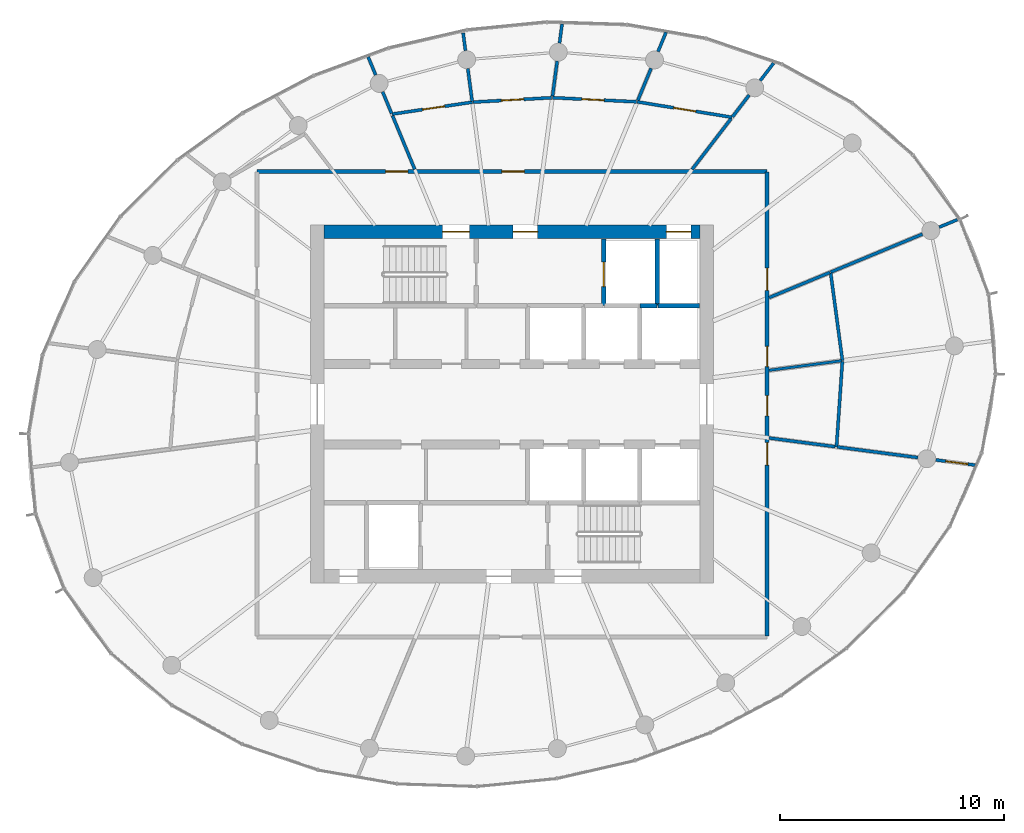
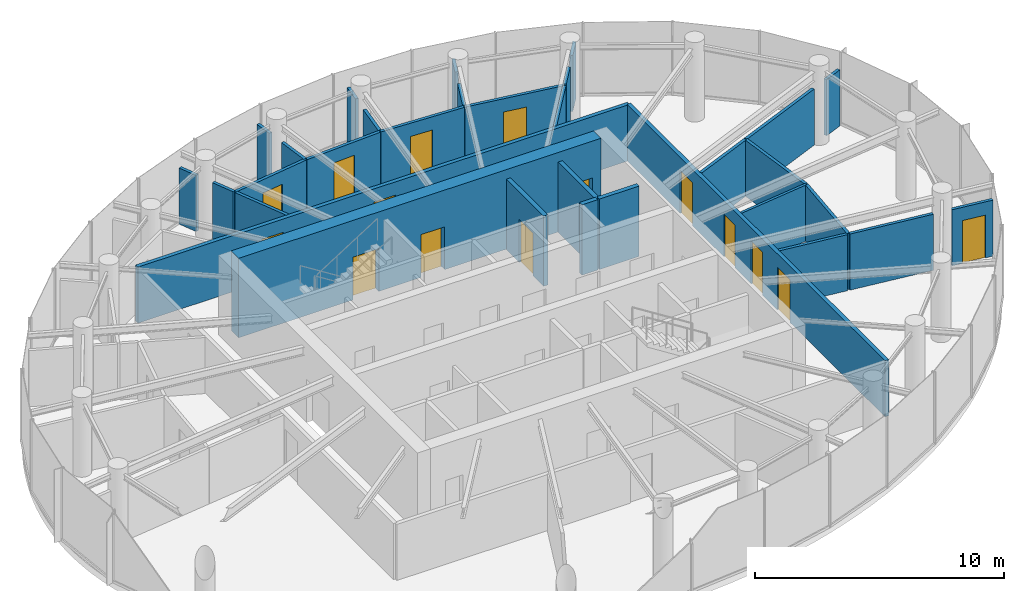
# One storey, part 10 of 13: 32 walls, 15 doors, 15 openings.
"""IFC4 building model written with IfcOpenShell, lengths in metres."""

from ifc_helpers import new_model, si_unit, direction, frame, frame_2d, origin, place, context, subcontext, project, spatial, rectangle, extrude, source, transform, mapped, material, layer, layer_set, type_object, element, fill, save


model = new_model("IFC4")

# Units and contexts
model_context = context("Model", 3, precision=1e-05, world=origin(), true_north=direction((0.0, 1.0)))
body_context = subcontext(model_context, "Body", "Model", "MODEL_VIEW")
ifc_project = project(units=[si_unit("LENGTHUNIT", "METRE"), si_unit("AREAUNIT", "SQUARE_METRE"), si_unit("VOLUMEUNIT", "CUBIC_METRE"), si_unit("PLANEANGLEUNIT", "RADIAN"), si_unit("MASSUNIT", "GRAM", prefix="KILO")], contexts=[model_context])

# Site, building, storey
site_placement = place(None, origin())
site = spatial("IfcSite", under=ifc_project, at=site_placement, CompositionType="ELEMENT")
building_placement = place(site_placement, origin())
building = spatial("IfcBuilding", under=site, at=building_placement, Name="Spindrift Exchange Tower", CompositionType="ELEMENT")
storey_placement = place(building_placement, frame((0.0, 0.0, 261.800048828125)))
storey = spatial("IfcBuildingStorey", under=building, at=storey_placement, Name="L64", CompositionType="ELEMENT", Elevation=261.800048828125)

# Wall, openings, doors
ifc_material_1 = material(Name="Concrete 50 MPa", Category="concrete")
ifc_layer_1 = layer(ifc_material_1, 0.60009765625)
ifc_layer_set_1 = layer_set([ifc_layer_1], Name="RC Core Wall 600 Concrete 50 MPa")
wall_type_1 = type_object("IfcWallType", Name="RC Core Wall 600 Concrete 50 MPa", PredefinedType="SHEAR", material=ifc_layer_set_1)
wall_1_placement = place(storey_placement, frame((60.39990234375, 55.699951171875, 0.0), z_axis=(0.0, 0.0, 1.0), x_axis=(-1.0, 0.0, 0.0)))
wall_1 = element("IfcWall", 1, at=wall_1_placement, inside=storey, type_object=wall_type_1, Name="Core wall N L64", PredefinedType="SHEAR", context=body_context, shape_type="SweptSolid", body=[
    extrude(rectangle(XDim=16.7998046875, YDim=0.60009765625, at=frame_2d((8.39990234375, 0.0))), origin(), (0.0, 0.0, 1.0), 3.89990234375),
])
opening_1_placement = place(wall_1_placement, frame((0.39990234375, 0.0, 0.0)))
opening_1 = element("IfcOpeningElement", 2, at=opening_1_placement, cuts=wall_1, Name="Opening L64-D11", PredefinedType="OPENING", context=body_context, shape_type="SweptSolid", body=[
    extrude(rectangle(XDim=1.10009765625, YDim=2.10009765625, at=frame_2d((0.550048828125, 1.050048828125))), frame((0.0, 0.31005859375, 0.0), z_axis=(0.0, -1.0, 0.0), x_axis=(1.0, 0.0, 0.0)), (0.0, 0.0, 1.0), 0.6201171875),
])
opening_2_placement = place(wall_1_placement, frame((10.300048828125, 0.0, 0.0)))
opening_2 = element("IfcOpeningElement", 3, at=opening_2_placement, cuts=wall_1, Name="Opening L64-D12", PredefinedType="OPENING", context=body_context, shape_type="SweptSolid", body=[
    extrude(rectangle(XDim=1.199951171875, YDim=2.10009765625, at=frame_2d((0.60009765625, 1.050048828125))), frame((0.0, 0.31005859375, 0.0), z_axis=(0.0, -1.0, 0.0), x_axis=(1.0, 0.0, 0.0)), (0.0, 0.0, 1.0), 0.6201171875),
])
opening_3_placement = place(wall_1_placement, frame((7.25, 0.0, 0.0)))
opening_3 = element("IfcOpeningElement", 4, at=opening_3_placement, cuts=wall_1, Name="Opening L64-D14", PredefinedType="OPENING", context=body_context, shape_type="SweptSolid", body=[
    extrude(rectangle(XDim=1.10009765625, YDim=2.10009765625, at=frame_2d((0.550048828125, 1.050048828125))), frame((0.0, 0.31005859375, 0.0), z_axis=(0.0, -1.0, 0.0), x_axis=(1.0, 0.0, 0.0)), (0.0, 0.0, 1.0), 0.6201171875),
])
ifc_material_2 = material(Name="Stainless steel landing door", Category="steel")
door_type_1 = type_object("IfcDoorType", Name="DR-LANDING-1100-SL", OperationType="DOUBLE_DOOR_SLIDING", PredefinedType="USERDEFINED", material=ifc_material_2)
shared_shape_1 = source(origin(), body_context, "Body", "SweptSolid", [
    extrude(rectangle(XDim=1.10009765625, YDim=2.10009765625, at=frame_2d((0.550048828125, 1.050048828125))), frame((0.0, 0.02490234375, 0.0), z_axis=(0.0, -1.0, 0.0), x_axis=(1.0, 0.0, 0.0)), (0.0, 0.0, 1.0), 0.050048828125),
])
door_1_placement = place(opening_1_placement, origin())
door_1 = element("IfcDoor", 5, at=door_1_placement, inside=storey, type_object=door_type_1, Name="L64 Lift landing door 11", ObjectType="LANDING DOOR", OperationType="DOUBLE_DOOR_SLIDING", OverallHeight=2.10009765625, OverallWidth=1.10009765625, PredefinedType="USERDEFINED", context=body_context, shape_type="MappedRepresentation", body=[
    mapped(shared_shape_1, transform((0.0, 0.0, 0.0), scale=1.0)),
])
fill(opening_1, door_1)
ifc_material_3 = material(Name="Steel fire door", Category="steel")
door_type_2 = type_object("IfcDoorType", Name="DR-STAIR-1200", OperationType="NOTDEFINED", PredefinedType="DOOR", material=ifc_material_3)
shared_shape_2 = source(origin(), body_context, "Body", "SweptSolid", [
    extrude(rectangle(XDim=1.199951171875, YDim=2.10009765625, at=frame_2d((0.60009765625, 1.050048828125))), frame((0.0, 0.02490234375, 0.0), z_axis=(0.0, -1.0, 0.0), x_axis=(1.0, 0.0, 0.0)), (0.0, 0.0, 1.0), 0.050048828125),
])
door_2_placement = place(opening_2_placement, origin())
door_2 = element("IfcDoor", 6, at=door_2_placement, inside=storey, type_object=door_type_2, Name="L64 Stair door 12", OperationType="SINGLE_SWING_LEFT", OverallHeight=2.10009765625, OverallWidth=1.199951171875, PredefinedType="DOOR", context=body_context, shape_type="MappedRepresentation", body=[
    mapped(shared_shape_2, transform((0.0, 0.0, 0.0), scale=1.0)),
])
fill(opening_2, door_2)
ifc_material_4 = material(Name="Timber-core fire door", Category="wood")
door_type_3 = type_object("IfcDoorType", Name="DR-LOBBY-1100", OperationType="NOTDEFINED", PredefinedType="DOOR", material=ifc_material_4)
shared_shape_3 = source(origin(), body_context, "Body", "SweptSolid", [
    extrude(rectangle(XDim=1.10009765625, YDim=2.10009765625, at=frame_2d((0.550048828125, 1.050048828125))), frame((0.0, 0.02490234375, 0.0), z_axis=(0.0, -1.0, 0.0), x_axis=(1.0, 0.0, 0.0)), (0.0, 0.0, 1.0), 0.050048828125),
])
door_3_placement = place(opening_3_placement, origin())
door_3 = element("IfcDoor", 7, at=door_3_placement, inside=storey, type_object=door_type_3, Name="L64 Lobby door 14", OperationType="SINGLE_SWING_LEFT", OverallHeight=2.10009765625, OverallWidth=1.10009765625, PredefinedType="DOOR", context=body_context, shape_type="MappedRepresentation", body=[
    mapped(shared_shape_3, transform((0.0, 0.0, 0.0), scale=1.0)),
])
fill(opening_3, door_3)

ifc_material_5 = material(Name="Fire-rated plasterboard partition", Category="gypsum")
ifc_layer_2 = layer(ifc_material_5, 0.179931640625)
ifc_layer_set_2 = layer_set([ifc_layer_2], Name="W-CORR-180")
wall_type_2 = type_object("IfcWallType", Name="W-CORR-180", PredefinedType="PARTITIONING", material=ifc_layer_set_2)
wall_2_placement = place(storey_placement, frame((40.60009765625, 58.39990234375, 0.0), z_axis=(0.0, 0.0, 1.0), x_axis=(1.0, 0.0, 0.0)))
wall_2 = element("IfcWall", 8, at=wall_2_placement, inside=storey, type_object=wall_type_2, Name="L64 Partition wall 27", PredefinedType="PARTITIONING", context=body_context, shape_type="SweptSolid", body=[
    extrude(rectangle(XDim=22.7998046875, YDim=0.179931640625, at=frame_2d((11.39990234375, 0.0))), origin(), (0.0, 0.0, 1.0), 2.75),
])
opening_4_placement = place(wall_2_placement, frame((10.949951171875, 0.0, 0.0)))
opening_4 = element("IfcOpeningElement", 9, at=opening_4_placement, cuts=wall_2, Name="Opening L64-D23", PredefinedType="OPENING", context=body_context, shape_type="SweptSolid", body=[
    extrude(rectangle(XDim=1.0, YDim=2.10009765625, at=frame_2d((0.5, 1.050048828125))), frame((0.0, 0.099853515625, 0.0), z_axis=(0.0, -1.0, 0.0), x_axis=(1.0, 0.0, 0.0)), (0.0, 0.0, 1.0), 0.199951171875),
])
opening_5_placement = place(wall_2_placement, frame((5.75, 0.0, 0.0)))
opening_5 = element("IfcOpeningElement", 10, at=opening_5_placement, cuts=wall_2, Name="Opening L64-D28", PredefinedType="OPENING", context=body_context, shape_type="SweptSolid", body=[
    extrude(rectangle(XDim=1.0, YDim=2.10009765625, at=frame_2d((0.5, 1.050048828125))), frame((0.0, 0.099853515625, 0.0), z_axis=(0.0, -1.0, 0.0), x_axis=(1.0, 0.0, 0.0)), (0.0, 0.0, 1.0), 0.199951171875),
])
door_type_4 = type_object("IfcDoorType", Name="DR-ROOM-1000", OperationType="NOTDEFINED", PredefinedType="DOOR", material=ifc_material_4)
shared_shape_4 = source(origin(), body_context, "Body", "SweptSolid", [
    extrude(rectangle(XDim=1.0, YDim=2.10009765625, at=frame_2d((0.5, 1.050048828125))), frame((0.0, 0.02490234375, 0.0), z_axis=(0.0, -1.0, 0.0), x_axis=(1.0, 0.0, 0.0)), (0.0, 0.0, 1.0), 0.050048828125),
])
door_4_placement = place(opening_4_placement, origin())
door_4 = element("IfcDoor", 11, at=door_4_placement, inside=storey, type_object=door_type_4, Name="L64 Door 23", OperationType="SINGLE_SWING_RIGHT", OverallHeight=2.10009765625, OverallWidth=1.0, PredefinedType="DOOR", context=body_context, shape_type="MappedRepresentation", body=[
    mapped(shared_shape_4, transform((0.0, 0.0, 0.0), scale=1.0)),
])
fill(opening_4, door_4)
door_5_placement = place(opening_5_placement, origin())
door_5 = element("IfcDoor", 12, at=door_5_placement, inside=storey, type_object=door_type_4, Name="L64 Door 28", OperationType="SINGLE_SWING_LEFT", OverallHeight=2.10009765625, OverallWidth=1.0, PredefinedType="DOOR", context=body_context, shape_type="MappedRepresentation", body=[
    mapped(shared_shape_4, transform((0.0, 0.0, 0.0), scale=1.0)),
])
fill(opening_5, door_5)

wall_3_placement = place(storey_placement, frame((63.39990234375, 58.3701171875, 0.0), z_axis=(0.0, 0.0, 1.0), x_axis=(0.0, -1.0, 0.0)))
wall_3 = element("IfcWall", 13, at=wall_3_placement, inside=storey, type_object=wall_type_2, Name="L64 Partition wall 29", PredefinedType="PARTITIONING", context=body_context, shape_type="SweptSolid", body=[
    extrude(rectangle(XDim=20.740234375, YDim=0.179931640625, at=frame_2d((10.3701171875, 0.0))), origin(), (0.0, 0.0, 1.0), 2.75),
])
opening_6_placement = place(wall_3_placement, frame((9.989990234375, 0.0, 0.0)))
opening_6 = element("IfcOpeningElement", 14, at=opening_6_placement, cuts=wall_3, Name="Opening L64-D19", PredefinedType="OPENING", context=body_context, shape_type="SweptSolid", body=[
    extrude(rectangle(XDim=0.89990234375, YDim=2.10009765625, at=frame_2d((0.449951171875, 1.050048828125))), frame((0.0, 0.099853515625, 0.0), z_axis=(0.0, -1.0, 0.0), x_axis=(1.0, 0.0, 0.0)), (0.0, 0.0, 1.0), 0.199951171875),
])
opening_7_placement = place(wall_3_placement, frame((7.7900390625, 0.0, 0.0)))
opening_7 = element("IfcOpeningElement", 15, at=opening_7_placement, cuts=wall_3, Name="Opening L64-D20", PredefinedType="OPENING", context=body_context, shape_type="SweptSolid", body=[
    extrude(rectangle(XDim=0.89990234375, YDim=2.10009765625, at=frame_2d((0.449951171875, 1.050048828125))), frame((0.0, 0.099853515625, 0.0), z_axis=(0.0, -1.0, 0.0), x_axis=(1.0, 0.0, 0.0)), (0.0, 0.0, 1.0), 0.199951171875),
])
opening_8_placement = place(wall_3_placement, frame((4.2900390625, 0.0, 0.0)))
opening_8 = element("IfcOpeningElement", 16, at=opening_8_placement, cuts=wall_3, Name="Opening L64-D21", PredefinedType="OPENING", context=body_context, shape_type="SweptSolid", body=[
    extrude(rectangle(XDim=1.0, YDim=2.10009765625, at=frame_2d((0.5, 1.050048828125))), frame((0.0, 0.099853515625, 0.0), z_axis=(0.0, -1.0, 0.0), x_axis=(1.0, 0.0, 0.0)), (0.0, 0.0, 1.0), 0.199951171875),
])
opening_9_placement = place(wall_3_placement, frame((12.090087890625, 0.0, 0.0)))
opening_9 = element("IfcOpeningElement", 17, at=opening_9_placement, cuts=wall_3, Name="Opening L64-D37", PredefinedType="OPENING", context=body_context, shape_type="SweptSolid", body=[
    extrude(rectangle(XDim=1.0, YDim=2.10009765625, at=frame_2d((0.5, 1.050048828125))), frame((0.0, 0.099853515625, 0.0), z_axis=(0.0, -1.0, 0.0), x_axis=(1.0, 0.0, 0.0)), (0.0, 0.0, 1.0), 0.199951171875),
])
door_6_placement = place(opening_8_placement, origin())
door_6 = element("IfcDoor", 18, at=door_6_placement, inside=storey, type_object=door_type_4, Name="L64 Door 21", OperationType="SINGLE_SWING_RIGHT", OverallHeight=2.10009765625, OverallWidth=1.0, PredefinedType="DOOR", context=body_context, shape_type="MappedRepresentation", body=[
    mapped(shared_shape_4, transform((0.0, 0.0, 0.0), scale=1.0)),
])
fill(opening_8, door_6)
door_7_placement = place(opening_9_placement, origin())
door_7 = element("IfcDoor", 19, at=door_7_placement, inside=storey, type_object=door_type_4, Name="L64 Door 37", OperationType="SINGLE_SWING_RIGHT", OverallHeight=2.10009765625, OverallWidth=1.0, PredefinedType="DOOR", context=body_context, shape_type="MappedRepresentation", body=[
    mapped(shared_shape_4, transform((0.0, 0.0, 0.0), scale=1.0)),
])
fill(opening_9, door_7)
ifc_material_6 = material(Name="Laminate washroom door", Category="wood")
door_type_5 = type_object("IfcDoorType", Name="DR-WC-900", OperationType="NOTDEFINED", PredefinedType="DOOR", material=ifc_material_6)
shared_shape_5 = source(origin(), body_context, "Body", "SweptSolid", [
    extrude(rectangle(XDim=0.89990234375, YDim=2.10009765625, at=frame_2d((0.449951171875, 1.050048828125))), frame((0.0, 0.02490234375, 0.0), z_axis=(0.0, -1.0, 0.0), x_axis=(1.0, 0.0, 0.0)), (0.0, 0.0, 1.0), 0.050048828125),
])
door_8_placement = place(opening_6_placement, origin())
door_8 = element("IfcDoor", 20, at=door_8_placement, inside=storey, type_object=door_type_5, Name="L64 WC door 19", OperationType="SINGLE_SWING_RIGHT", OverallHeight=2.10009765625, OverallWidth=0.89990234375, PredefinedType="DOOR", context=body_context, shape_type="MappedRepresentation", body=[
    mapped(shared_shape_5, transform((0.0, 0.0, 0.0), scale=1.0)),
])
fill(opening_6, door_8)
door_9_placement = place(opening_7_placement, origin())
door_9 = element("IfcDoor", 21, at=door_9_placement, inside=storey, type_object=door_type_5, Name="L64 WC door 20", OperationType="SINGLE_SWING_LEFT", OverallHeight=2.10009765625, OverallWidth=0.89990234375, PredefinedType="DOOR", context=body_context, shape_type="MappedRepresentation", body=[
    mapped(shared_shape_5, transform((0.0, 0.0, 0.0), scale=1.0)),
])
fill(opening_7, door_9)

# Wall
ifc_layer_3 = layer(ifc_material_5, 0.139892578125)
ifc_layer_set_3 = layer_set([ifc_layer_3], Name="W-PART-140")
wall_type_3 = type_object("IfcWallType", Name="W-PART-140", PredefinedType="PARTITIONING", material=ifc_layer_set_3)
wall_4_placement = place(storey_placement, frame((66.237548828125, 53.8974609375, 0.0), z_axis=(0.0, 0.0, 1.0), x_axis=(0.923890353005, 0.382657308338, 0.0)))
element("IfcWall", 22, at=wall_4_placement, inside=storey, type_object=wall_type_3, Name="L64 Partition wall 32", PredefinedType="PARTITIONING", context=body_context, shape_type="SweptSolid", body=[
    extrude(rectangle(XDim=4.4462890625, YDim=0.139892578125, at=frame_2d((2.22314453125, 0.0))), origin(), (0.0, 0.0, 1.0), 2.75),
])

# Wall, opening, door
wall_5_placement = place(storey_placement, frame((57.596435546875, 61.510986328125, 0.0), z_axis=(0.0, 0.0, 1.0), x_axis=(0.986966791607, -0.160924057449, 0.0)))
wall_5 = element("IfcWall", 23, at=wall_5_placement, inside=storey, type_object=wall_type_3, Name="L64 Partition wall 33", PredefinedType="PARTITIONING", context=body_context, shape_type="SweptSolid", body=[
    extrude(rectangle(XDim=4.29638671875, YDim=0.139892578125, at=frame_2d((2.148193359375, 0.0))), origin(), (0.0, 0.0, 1.0), 2.75),
])
opening_10_placement = place(wall_5_placement, frame((1.646484375, 0.0, 0.0)))
opening_10 = element("IfcOpeningElement", 24, at=opening_10_placement, cuts=wall_5, Name="Opening L64-D24", PredefinedType="OPENING", context=body_context, shape_type="SweptSolid", body=[
    extrude(rectangle(XDim=1.0, YDim=2.10009765625, at=frame_2d((0.5, 1.050048828125))), frame((0.0, 0.079833984375, 0.0), z_axis=(0.0, -1.0, 0.0), x_axis=(1.0, 0.0, 0.0)), (0.0, 0.0, 1.0), 0.159912109375),
])
door_10_placement = place(opening_10_placement, origin())
door_10 = element("IfcDoor", 25, at=door_10_placement, inside=storey, type_object=door_type_4, Name="L64 Door 24", OperationType="SINGLE_SWING_LEFT", OverallHeight=2.10009765625, OverallWidth=1.0, PredefinedType="DOOR", context=body_context, shape_type="MappedRepresentation", body=[
    mapped(shared_shape_4, transform((0.0, 0.0, 0.0), scale=1.0)),
])
fill(opening_10, door_10)

# Walls
wall_6_placement = place(storey_placement, frame((66.768798828125, 49.9443359375, 0.0), z_axis=(0.0, 0.0, 1.0), x_axis=(-0.133153394983, 0.991095441118, 0.0)))
element("IfcWall", 26, at=wall_6_placement, inside=storey, type_object=wall_type_3, Name="L64 Partition wall 36", PredefinedType="PARTITIONING", context=body_context, shape_type="SweptSolid", body=[
    extrude(rectangle(XDim=3.95849609375, YDim=0.139892578125, at=frame_2d((1.979248046875, 0.0))), origin(), (0.0, 0.0, 1.0), 2.75),
])
wall_7_placement = place(storey_placement, frame((66.50390625, 46.090576171875, 0.0), z_axis=(0.0, 0.0, 1.0), x_axis=(0.068539756301, 0.997648385859, 0.0)))
element("IfcWall", 27, at=wall_7_placement, inside=storey, type_object=wall_type_3, Name="L64 Partition wall 39", PredefinedType="PARTITIONING", context=body_context, shape_type="SweptSolid", body=[
    extrude(rectangle(XDim=3.832763671875, YDim=0.139892578125, at=frame_2d((1.91650390625, 0.0))), origin(), (0.0, 0.0, 1.0), 2.75),
])

# Wall, opening, door
wall_8_placement = place(storey_placement, frame((53.80322265625, 61.6962890625, 0.0), z_axis=(0.0, 0.0, 1.0), x_axis=(0.998808887541, -0.048793505405, 0.0)))
wall_8 = element("IfcWall", 28, at=wall_8_placement, inside=storey, type_object=wall_type_3, Name="L64 Partition wall 43", PredefinedType="PARTITIONING", context=body_context, shape_type="SweptSolid", body=[
    extrude(rectangle(XDim=3.767578125, YDim=0.139892578125, at=frame_2d((1.8837890625, 0.0))), origin(), (0.0, 0.0, 1.0), 2.75),
])
opening_11_placement = place(wall_8_placement, frame((1.31787109375, 0.0, 0.0)))
opening_11 = element("IfcOpeningElement", 29, at=opening_11_placement, cuts=wall_8, Name="Opening L64-D25", PredefinedType="OPENING", context=body_context, shape_type="SweptSolid", body=[
    extrude(rectangle(XDim=1.0, YDim=2.10009765625, at=frame_2d((0.5, 1.050048828125))), frame((0.0, 0.079833984375, 0.0), z_axis=(0.0, -1.0, 0.0), x_axis=(1.0, 0.0, 0.0)), (0.0, 0.0, 1.0), 0.159912109375),
])
door_11_placement = place(opening_11_placement, origin())
door_11 = element("IfcDoor", 30, at=door_11_placement, inside=storey, type_object=door_type_4, Name="L64 Door 25", OperationType="SINGLE_SWING_RIGHT", OverallHeight=2.10009765625, OverallWidth=1.0, PredefinedType="DOOR", context=body_context, shape_type="MappedRepresentation", body=[
    mapped(shared_shape_4, transform((0.0, 0.0, 0.0), scale=1.0)),
])
fill(opening_11, door_11)

# Wall
wall_9_placement = place(storey_placement, frame((66.53369140625, 46.086669921875, 0.0), z_axis=(0.0, 0.0, 1.0), x_axis=(0.991445838206, -0.130518772227, 0.0)))
element("IfcWall", 31, at=wall_9_placement, inside=storey, type_object=wall_type_3, Name="L64 Partition wall 44", PredefinedType="PARTITIONING", context=body_context, shape_type="SweptSolid", body=[
    extrude(rectangle(XDim=3.63623046875, YDim=0.139892578125, at=frame_2d((1.818115234375, 0.0))), origin(), (0.0, 0.0, 1.0), 2.75),
])

# Wall, opening, door
wall_10_placement = place(storey_placement, frame((46.631591796875, 60.96044921875, 0.0), z_axis=(0.0, 0.0, 1.0), x_axis=(0.989060769931, 0.147508621387, 0.0)))
wall_10 = element("IfcWall", 32, at=wall_10_placement, inside=storey, type_object=wall_type_3, Name="L64 Partition wall 45", PredefinedType="PARTITIONING", context=body_context, shape_type="SweptSolid", body=[
    extrude(rectangle(XDim=3.63134765625, YDim=0.139892578125, at=frame_2d((1.815673828125, 0.0))), origin(), (0.0, 0.0, 1.0), 2.75),
])
opening_12_placement = place(wall_10_placement, frame((1.38134765625, 0.0, 0.0)))
opening_12 = element("IfcOpeningElement", 33, at=opening_12_placement, cuts=wall_10, Name="Opening L64-D27", PredefinedType="OPENING", context=body_context, shape_type="SweptSolid", body=[
    extrude(rectangle(XDim=1.0, YDim=2.10009765625, at=frame_2d((0.5, 1.050048828125))), frame((0.0, 0.079833984375, 0.0), z_axis=(0.0, -1.0, 0.0), x_axis=(1.0, 0.0, 0.0)), (0.0, 0.0, 1.0), 0.159912109375),
])
door_12_placement = place(opening_12_placement, origin())
door_12 = element("IfcDoor", 34, at=door_12_placement, inside=storey, type_object=door_type_4, Name="L64 Door 27", OperationType="SINGLE_SWING_RIGHT", OverallHeight=2.10009765625, OverallWidth=1.0, PredefinedType="DOOR", context=body_context, shape_type="MappedRepresentation", body=[
    mapped(shared_shape_4, transform((0.0, 0.0, 0.0), scale=1.0)),
])
fill(opening_12, door_12)

wall_11_placement = place(storey_placement, frame((50.253173828125, 61.497802734375, 0.0), z_axis=(0.0, 0.0, 1.0), x_axis=(0.998441116718, 0.055815199062, 0.0)))
wall_11 = element("IfcWall", 35, at=wall_11_placement, inside=storey, type_object=wall_type_3, Name="L64 Partition wall 46", PredefinedType="PARTITIONING", context=body_context, shape_type="SweptSolid", body=[
    extrude(rectangle(XDim=3.525634765625, YDim=0.139892578125, at=frame_2d((1.7626953125, 0.0))), origin(), (0.0, 0.0, 1.0), 2.75),
])
opening_13_placement = place(wall_11_placement, frame((1.275634765625, 0.0, 0.0)))
opening_13 = element("IfcOpeningElement", 36, at=opening_13_placement, cuts=wall_11, Name="Opening L64-D26", PredefinedType="OPENING", context=body_context, shape_type="SweptSolid", body=[
    extrude(rectangle(XDim=1.0, YDim=2.10009765625, at=frame_2d((0.5, 1.050048828125))), frame((0.0, 0.079833984375, 0.0), z_axis=(0.0, -1.0, 0.0), x_axis=(1.0, 0.0, 0.0)), (0.0, 0.0, 1.0), 0.159912109375),
])
door_13_placement = place(opening_13_placement, origin())
door_13 = element("IfcDoor", 37, at=door_13_placement, inside=storey, type_object=door_type_4, Name="L64 Door 26", OperationType="SINGLE_SWING_LEFT", OverallHeight=2.10009765625, OverallWidth=1.0, PredefinedType="DOOR", context=body_context, shape_type="MappedRepresentation", body=[
    mapped(shared_shape_4, transform((0.0, 0.0, 0.0), scale=1.0)),
])
fill(opening_13, door_13)

# Walls
wall_12_placement = place(storey_placement, frame((63.489990234375, 46.4873046875, 0.0), z_axis=(0.0, 0.0, 1.0), x_axis=(0.991441979346, -0.130548081526, 0.0)))
element("IfcWall", 38, at=wall_12_placement, inside=storey, type_object=wall_type_3, Name="L64 Partition wall 48", PredefinedType="PARTITIONING", context=body_context, shape_type="SweptSolid", body=[
    extrude(rectangle(XDim=2.9697265625, YDim=0.139892578125, at=frame_2d((1.48486328125, 0.0))), origin(), (0.0, 0.0, 1.0), 2.75),
])
wall_13_placement = place(storey_placement, frame((63.489990234375, 52.75927734375, 0.0), z_axis=(0.0, 0.0, 1.0), x_axis=(0.923872299408, 0.382700894154, 0.0)))
element("IfcWall", 39, at=wall_13_placement, inside=storey, type_object=wall_type_3, Name="L64 Partition wall 49", PredefinedType="PARTITIONING", context=body_context, shape_type="SweptSolid", body=[
    extrude(rectangle(XDim=2.944091796875, YDim=0.139892578125, at=frame_2d((1.47216796875, 0.0))), origin(), (0.0, 0.0, 1.0), 2.75),
])
wall_14_placement = place(storey_placement, frame((60.04931640625, 58.489990234375, 0.0), z_axis=(0.0, 0.0, 1.0), x_axis=(0.608768756855, 0.793347717383, 0.0)))
element("IfcWall", 40, at=wall_14_placement, inside=storey, type_object=wall_type_3, Name="L64 Partition wall 50", PredefinedType="PARTITIONING", context=body_context, shape_type="SweptSolid", body=[
    extrude(rectangle(XDim=2.85693359375, YDim=0.139892578125, at=frame_2d((1.428466796875, 0.0))), origin(), (0.0, 0.0, 1.0), 2.75),
])
wall_15_placement = place(storey_placement, frame((47.65478515625, 58.489990234375, 0.0), z_axis=(0.0, 0.0, 1.0), x_axis=(-0.382655661324, 0.923891035164, 0.0)))
element("IfcWall", 41, at=wall_15_placement, inside=storey, type_object=wall_type_3, Name="L64 Partition wall 52", PredefinedType="PARTITIONING", context=body_context, shape_type="SweptSolid", body=[
    extrude(rectangle(XDim=2.601806640625, YDim=0.139892578125, at=frame_2d((1.30078125, 0.0))), origin(), (0.0, 0.0, 1.0), 2.75),
])

# Wall, opening, door
wall_16_placement = place(storey_placement, frame((70.941162109375, 45.50634765625, 0.0), z_axis=(0.0, 0.0, 1.0), x_axis=(0.991453359692, -0.13046162484, 0.0)))
wall_16 = element("IfcWall", 42, at=wall_16_placement, inside=storey, type_object=wall_type_3, Name="L64 Partition wall 59", PredefinedType="PARTITIONING", context=body_context, shape_type="SweptSolid", body=[
    extrude(rectangle(XDim=1.77587890625, YDim=0.139892578125, at=frame_2d((0.887939453125, 0.0))), origin(), (0.0, 0.0, 1.0), 2.75),
])
opening_14_placement = place(wall_16_placement, frame((0.449951171875, 0.0, 0.0)))
opening_14 = element("IfcOpeningElement", 43, at=opening_14_placement, cuts=wall_16, Name="Opening L64-D22", PredefinedType="OPENING", context=body_context, shape_type="SweptSolid", body=[
    extrude(rectangle(XDim=1.0, YDim=2.10009765625, at=frame_2d((0.5, 1.050048828125))), frame((0.0, 0.079833984375, 0.0), z_axis=(0.0, -1.0, 0.0), x_axis=(1.0, 0.0, 0.0)), (0.0, 0.0, 1.0), 0.159912109375),
])
door_14_placement = place(opening_14_placement, origin())
door_14 = element("IfcDoor", 44, at=door_14_placement, inside=storey, type_object=door_type_4, Name="L64 Door 22", OperationType="SINGLE_SWING_LEFT", OverallHeight=2.10009765625, OverallWidth=1.0, PredefinedType="DOOR", context=body_context, shape_type="MappedRepresentation", body=[
    mapped(shared_shape_4, transform((0.0, 0.0, 0.0), scale=1.0)),
])
fill(opening_14, door_14)

# Walls
wall_17_placement = place(storey_placement, frame((53.812255859375, 61.765869140625, 0.0), z_axis=(0.0, 0.0, 1.0), x_axis=(0.13060261722, 0.991434796835, 0.0)))
element("IfcWall", 45, at=wall_17_placement, inside=storey, type_object=wall_type_3, Name="L64 Partition wall 60", PredefinedType="PARTITIONING", context=body_context, shape_type="SweptSolid", body=[
    extrude(rectangle(XDim=1.57763671875, YDim=0.139892578125, at=frame_2d((0.788818359375, 0.0))), origin(), (0.0, 0.0, 1.0), 2.75),
])
wall_18_placement = place(storey_placement, frame((57.623779296875, 61.577392578125, 0.0), z_axis=(0.0, 0.0, 1.0), x_axis=(0.382857557741, 0.923807388193, 0.0)))
element("IfcWall", 46, at=wall_18_placement, inside=storey, type_object=wall_type_3, Name="L64 Partition wall 61", PredefinedType="PARTITIONING", context=body_context, shape_type="SweptSolid", body=[
    extrude(rectangle(XDim=1.548828125, YDim=0.139892578125, at=frame_2d((0.7744140625, 0.0))), origin(), (0.0, 0.0, 1.0), 2.75),
])
wall_19_placement = place(storey_placement, frame((50.21923828125, 61.52587890625, 0.0), z_axis=(0.0, 0.0, 1.0), x_axis=(-0.130480082608, 0.991450930729, 0.0)))
element("IfcWall", 47, at=wall_19_placement, inside=storey, type_object=wall_type_3, Name="L64 Partition wall 63", PredefinedType="PARTITIONING", context=body_context, shape_type="SweptSolid", body=[
    extrude(rectangle(XDim=1.48193359375, YDim=0.139892578125, at=frame_2d((0.740966796875, 0.0))), origin(), (0.0, 0.0, 1.0), 2.75),
])
wall_20_placement = place(storey_placement, frame((61.855224609375, 60.843505859375, 0.0), z_axis=(0.0, 0.0, 1.0), x_axis=(0.608737071452, 0.793372029908, 0.0)))
element("IfcWall", 48, at=wall_20_placement, inside=storey, type_object=wall_type_3, Name="L64 Partition wall 65", PredefinedType="PARTITIONING", context=body_context, shape_type="SweptSolid", body=[
    extrude(rectangle(XDim=1.224365234375, YDim=0.139892578125, at=frame_2d((0.6123046875, 0.0))), origin(), (0.0, 0.0, 1.0), 2.75),
])
wall_21_placement = place(storey_placement, frame((46.6201171875, 60.988037109375, 0.0), z_axis=(0.0, 0.0, 1.0), x_axis=(-0.382570490689, 0.923926306398, 0.0)))
element("IfcWall", 49, at=wall_21_placement, inside=storey, type_object=wall_type_3, Name="L64 Partition wall 67", PredefinedType="PARTITIONING", context=body_context, shape_type="SweptSolid", body=[
    extrude(rectangle(XDim=1.0517578125, YDim=0.139892578125, at=frame_2d((0.52587890625, 0.0))), origin(), (0.0, 0.0, 1.0), 2.75),
])
wall_22_placement = place(storey_placement, frame((63.09326171875, 62.456787109375, 0.0), z_axis=(0.0, 0.0, 1.0), x_axis=(0.608597799138, 0.793478871101, 0.0)))
element("IfcWall", 50, at=wall_22_placement, inside=storey, type_object=wall_type_3, Name="L64 Partition wall 69", PredefinedType="PARTITIONING", context=body_context, shape_type="SweptSolid", body=[
    extrude(rectangle(XDim=0.986328125, YDim=0.139892578125, at=frame_2d((0.4931640625, 0.0))), origin(), (0.0, 0.0, 1.0), 2.75),
])
wall_23_placement = place(storey_placement, frame((58.526611328125, 63.7568359375, 0.0), z_axis=(0.0, 0.0, 1.0), x_axis=(0.382781658682, 0.923838839721, 0.0)))
element("IfcWall", 51, at=wall_23_placement, inside=storey, type_object=wall_type_3, Name="L64 Partition wall 71", PredefinedType="PARTITIONING", context=body_context, shape_type="SweptSolid", body=[
    extrude(rectangle(XDim=0.936279296875, YDim=0.139892578125, at=frame_2d((0.46826171875, 0.0))), origin(), (0.0, 0.0, 1.0), 2.75),
])
wall_24_placement = place(storey_placement, frame((45.90771484375, 62.708251953125, 0.0), z_axis=(0.0, 0.0, 1.0), x_axis=(-0.382801251463, 0.923830721441, 0.0)))
element("IfcWall", 52, at=wall_24_placement, inside=storey, type_object=wall_type_3, Name="L64 Partition wall 72", PredefinedType="PARTITIONING", context=body_context, shape_type="SweptSolid", body=[
    extrude(rectangle(XDim=0.87939453125, YDim=0.139892578125, at=frame_2d((0.439697265625, 0.0))), origin(), (0.0, 0.0, 1.0), 2.75),
])
wall_25_placement = place(storey_placement, frame((71.09375, 55.908935546875, 0.0), z_axis=(0.0, 0.0, 1.0), x_axis=(0.923915029187, 0.382597724564, 0.0)))
element("IfcWall", 53, at=wall_25_placement, inside=storey, type_object=wall_type_3, Name="L64 Partition wall 74", PredefinedType="PARTITIONING", context=body_context, shape_type="SweptSolid", body=[
    extrude(rectangle(XDim=0.876708984375, YDim=0.139892578125, at=frame_2d((0.4384765625, 0.0))), origin(), (0.0, 0.0, 1.0), 2.75),
])
wall_26_placement = place(storey_placement, frame((54.123779296875, 64.13232421875, 0.0), z_axis=(0.0, 0.0, 1.0), x_axis=(0.130541844348, 0.991442800606, 0.0)))
element("IfcWall", 54, at=wall_26_placement, inside=storey, type_object=wall_type_3, Name="L64 Partition wall 75", PredefinedType="PARTITIONING", context=body_context, shape_type="SweptSolid", body=[
    extrude(rectangle(XDim=0.86767578125, YDim=0.139892578125, at=frame_2d((0.433837890625, 0.0))), origin(), (0.0, 0.0, 1.0), 2.75),
])
wall_27_placement = place(storey_placement, frame((49.92041015625, 63.797119140625, 0.0), z_axis=(0.0, 0.0, 1.0), x_axis=(-0.130588373578, 0.991436673059, 0.0)))
element("IfcWall", 55, at=wall_27_placement, inside=storey, type_object=wall_type_3, Name="L64 Partition wall 77", PredefinedType="PARTITIONING", context=body_context, shape_type="SweptSolid", body=[
    extrude(rectangle(XDim=0.802001953125, YDim=0.139892578125, at=frame_2d((0.40087890625, 0.0))), origin(), (0.0, 0.0, 1.0), 2.75),
])

# Wall, opening, door
ifc_material_7 = material(Name="Concrete 40 MPa", Category="concrete")
ifc_layer_4 = layer(ifc_material_7, 0.199951171875)
ifc_layer_set_4 = layer_set([ifc_layer_4], Name="W-SHAFT-200")
wall_type_4 = type_object("IfcWallType", Name="W-SHAFT-200", PredefinedType="SOLIDWALL", material=ifc_layer_set_4)
wall_28_placement = place(storey_placement, frame((56.10009765625, 55.3798828125, 0.0), z_axis=(0.0, 0.0, 1.0), x_axis=(0.0, -1.0, 0.0)))
wall_28 = element("IfcWall", 56, at=wall_28_placement, inside=storey, type_object=wall_type_4, Name="L64 Shaft wall 7", PredefinedType="SOLIDWALL", context=body_context, shape_type="SweptSolid", body=[
    extrude(rectangle(XDim=2.97998046875, YDim=0.199951171875, at=frame_2d((1.489990234375, 0.0))), origin(), (0.0, 0.0, 1.0), 3.449951171875),
])
opening_15_placement = place(wall_28_placement, frame((1.030029296875, 0.0, 0.0)))
opening_15 = element("IfcOpeningElement", 57, at=opening_15_placement, cuts=wall_28, Name="Opening L64-D9", PredefinedType="OPENING", context=body_context, shape_type="SweptSolid", body=[
    extrude(rectangle(XDim=1.10009765625, YDim=2.10009765625, at=frame_2d((0.550048828125, 1.050048828125))), frame((0.0, 0.10986328125, 0.0), z_axis=(0.0, -1.0, 0.0), x_axis=(1.0, 0.0, 0.0)), (0.0, 0.0, 1.0), 0.219970703125),
])
door_15_placement = place(opening_15_placement, origin())
door_15 = element("IfcDoor", 58, at=door_15_placement, inside=storey, type_object=door_type_1, Name="L64 Lift landing door 9", ObjectType="LANDING DOOR", OperationType="DOUBLE_DOOR_SLIDING", OverallHeight=2.10009765625, OverallWidth=1.10009765625, PredefinedType="USERDEFINED", context=body_context, shape_type="MappedRepresentation", body=[
    mapped(shared_shape_1, transform((0.0, 0.0, 0.0), scale=1.0)),
])
fill(opening_15, door_15)

# Walls
wall_29_placement = place(storey_placement, frame((58.5, 52.39990234375, 0.0), z_axis=(0.0, 0.0, 1.0), x_axis=(0.0, 1.0, 0.0)))
element("IfcWall", 59, at=wall_29_placement, inside=storey, type_object=wall_type_4, Name="L64 Shaft wall 8", PredefinedType="SOLIDWALL", context=body_context, shape_type="SweptSolid", body=[
    extrude(rectangle(XDim=2.97998046875, YDim=0.199951171875, at=frame_2d((1.489990234375, 0.0))), origin(), (0.0, 0.0, 1.0), 3.449951171875),
])
wall_30_placement = place(storey_placement, frame((60.3798828125, 52.39990234375, 0.0), z_axis=(0.0, 0.0, 1.0), x_axis=(-1.0, 0.0, 0.0)))
element("IfcWall", 60, at=wall_30_placement, inside=storey, type_object=wall_type_4, Name="L64 Shaft wall 21", PredefinedType="SOLIDWALL", context=body_context, shape_type="SweptSolid", body=[
    extrude(rectangle(XDim=1.849853515625, YDim=0.199951171875, at=frame_2d((0.9248046875, 0.0))), origin(), (0.0, 0.0, 1.0), 3.449951171875),
])
wall_31_placement = place(storey_placement, frame((58.469970703125, 52.39990234375, 0.0), z_axis=(0.0, 0.0, 1.0), x_axis=(-1.0, 0.0, 0.0)))
element("IfcWall", 61, at=wall_31_placement, inside=storey, type_object=wall_type_4, Name="L64 Shaft wall 26", PredefinedType="SOLIDWALL", context=body_context, shape_type="SweptSolid", body=[
    extrude(rectangle(XDim=0.739990234375, YDim=0.199951171875, at=frame_2d((0.3701171875, 0.0))), origin(), (0.0, 0.0, 1.0), 3.449951171875),
])
ifc_layer_5 = layer(ifc_material_5, 0.1201171875)
ifc_layer_set_5 = layer_set([ifc_layer_5], Name="W-WET-120")
wall_type_5 = type_object("IfcWallType", Name="W-WET-120", PredefinedType="PARTITIONING", material=ifc_layer_set_5)
wall_32_placement = place(storey_placement, frame((63.489990234375, 49.5126953125, 0.0), z_axis=(0.0, 0.0, 1.0), x_axis=(0.991445164464, 0.130523890002, 0.0)))
element("IfcWall", 62, at=wall_32_placement, inside=storey, type_object=wall_type_5, Name="L64 Partition wall 78", PredefinedType="PARTITIONING", context=body_context, shape_type="SweptSolid", body=[
    extrude(rectangle(XDim=3.277099609375, YDim=0.1201171875, at=frame_2d((1.638671875, 0.0))), origin(), (0.0, 0.0, 1.0), 2.75),
])

save(model, "model.ifc")
